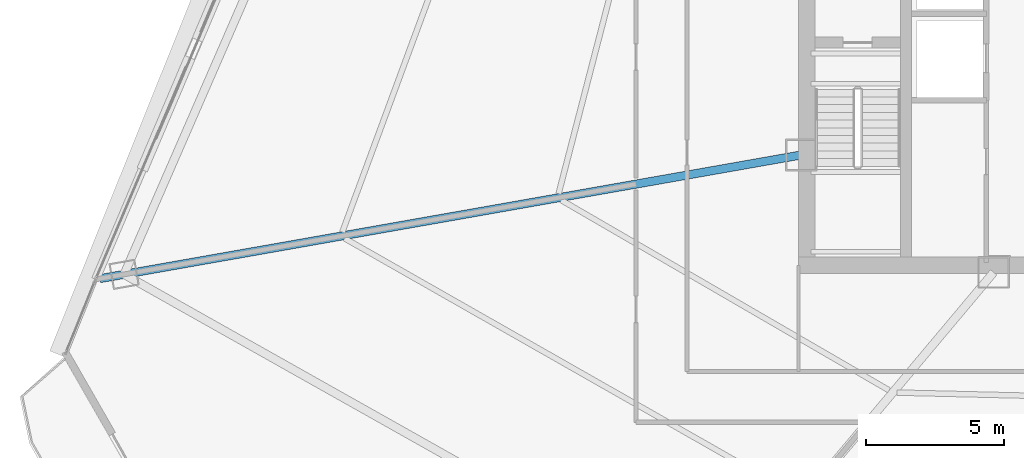
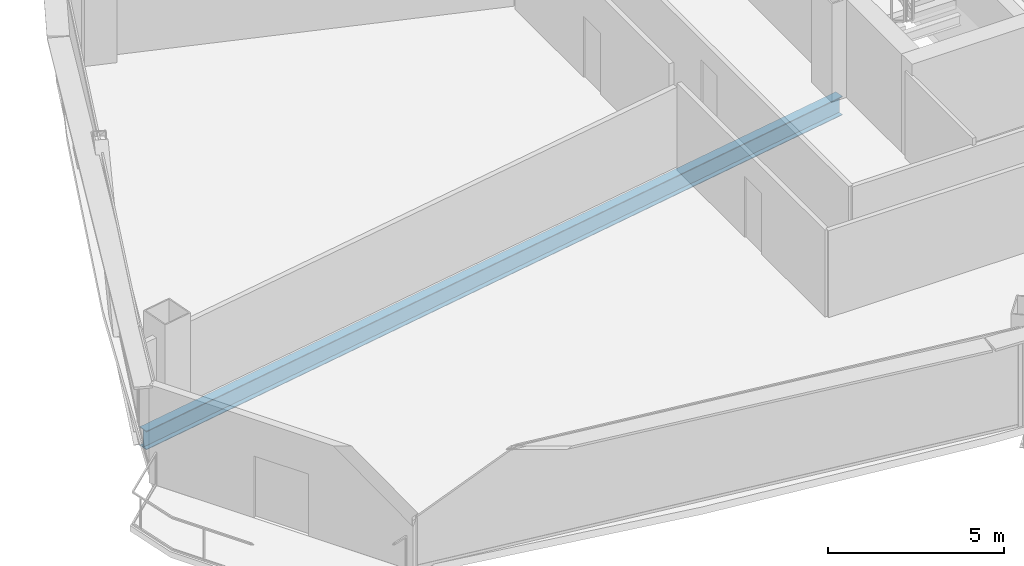
# One storey, part 5 of 39: 1 beam.
"""IFC4 building model written with IfcOpenShell, lengths in metres."""

from ifc_helpers import new_model, si_unit, direction, frame, origin, origin_2d, place, context, subcontext, project, spatial, i_section, extrude, source, transform, mapped, material, material_profile, profile_set, type_object, element, save


model = new_model("IFC4")

# Units and contexts
model_context = context("Model", 3, precision=1e-05, world=origin(), true_north=direction((0.0, 1.0)))
body_context = subcontext(model_context, "Body", "Model", "MODEL_VIEW")
ifc_project = project(units=[si_unit("LENGTHUNIT", "METRE"), si_unit("AREAUNIT", "SQUARE_METRE"), si_unit("VOLUMEUNIT", "CUBIC_METRE"), si_unit("PLANEANGLEUNIT", "RADIAN"), si_unit("MASSUNIT", "GRAM", prefix="KILO"), si_unit("THERMODYNAMICTEMPERATUREUNIT", "KELVIN"), si_unit("POWERUNIT", "WATT")], contexts=[model_context])

# Site, building, storey
site_placement = place(None, origin())
site = spatial("IfcSite", under=ifc_project, at=site_placement, CompositionType="ELEMENT")
building_placement = place(site_placement, origin())
building = spatial("IfcBuilding", under=site, at=building_placement, Name="Yunzhuo Pagoda Commons", CompositionType="ELEMENT")
storey_placement = place(building_placement, frame((0.0, 0.0, 162.949951171875)))
storey = spatial("IfcBuildingStorey", under=building, at=storey_placement, Name="L41", CompositionType="ELEMENT", Elevation=162.949951171875)

# Beam
ifc_material = material(Name="Structural steel Q355B", Category="steel")
ifc_material_profile = material_profile(ifc_material, i_section(OverallWidth=0.300048828125, OverallDepth=0.64990234375, WebThickness=0.012939453125, FlangeThickness=0.02197265625, at=origin_2d()), Name="Structural steel Q355B")
ifc_profile_set = profile_set([ifc_material_profile], Name="Structural steel Q355B")
beam_type = type_object("IfcBeamType", Name="B-RG2 Beam HN 650x300x13x22", PredefinedType="BEAM", material=ifc_profile_set)
shared_shape = source(origin(), body_context, "Body", "SweptSolid", [
    extrude(i_section(OverallWidth=0.300048828125, OverallDepth=0.64990234375, WebThickness=0.012939453125, FlangeThickness=0.02197265625, at=origin_2d()), origin(), (0.0, 0.0, 1.0), 25.87158203125),
])
beam_placement = place(storey_placement, frame((10.12158203125, 27.02099609375, -0.5849609375), z_axis=(0.98480853359, 0.173643750734, 0.0), x_axis=(-0.173643750734, 0.98480853359, 0.0)))
element("IfcBeam", 1, at=beam_placement, inside=storey, type_object=beam_type, Name="L41 radial floor girder F3C4", PredefinedType="BEAM", context=body_context, shape_type="MappedRepresentation", body=[
    mapped(shared_shape, transform((0.0, 0.0, 0.0), scale=1.0)),
])

save(model, "model.ifc")
